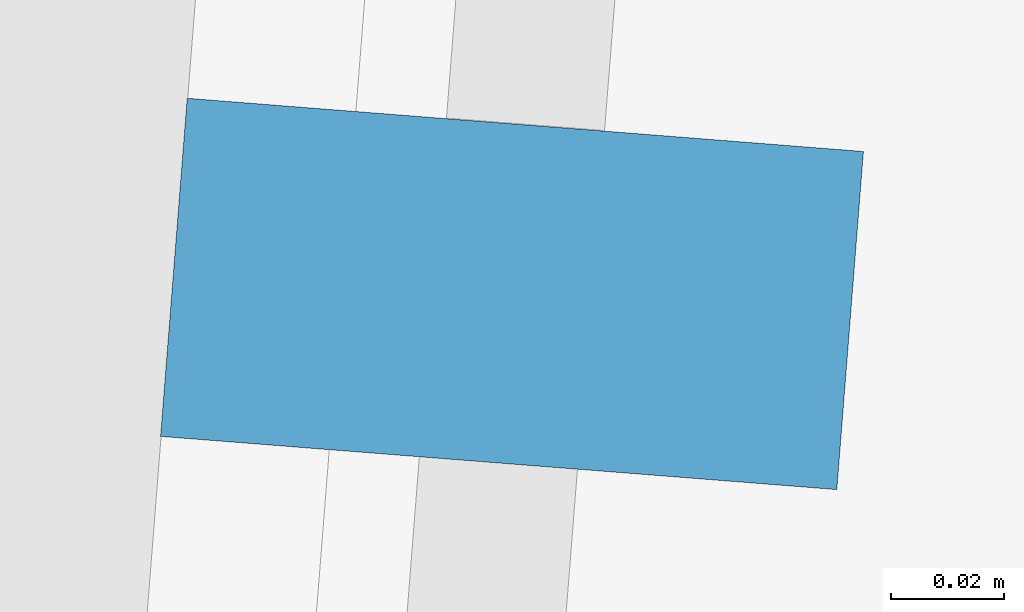
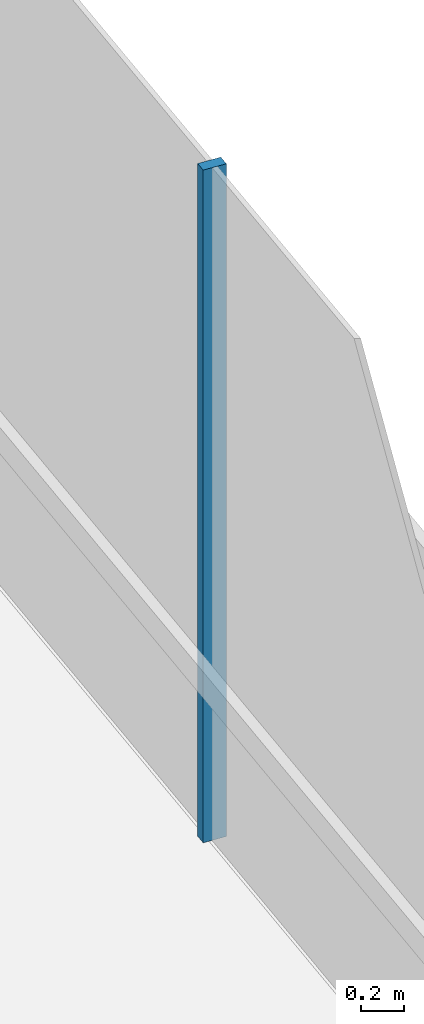
# One storey, part 15 of 24: 1 member, 1 element without a shape of its own.
"""IFC4 building model written with IfcOpenShell, lengths in metres."""

from ifc_helpers import new_model, si_unit, direction, frame, origin, origin_2d, place, context, subcontext, project, spatial, rectangle, extrude, material, layer, layer_set, material_profile, profile_set, type_object, element, aggregate, save


model = new_model("IFC4")

# Units and contexts
model_context = context("Model", 3, precision=1e-05, world=origin(), true_north=direction((0.0, 1.0)))
body_context = subcontext(model_context, "Body", "Model", "MODEL_VIEW")
ifc_project = project(units=[si_unit("LENGTHUNIT", "METRE"), si_unit("AREAUNIT", "SQUARE_METRE"), si_unit("VOLUMEUNIT", "CUBIC_METRE"), si_unit("PLANEANGLEUNIT", "RADIAN"), si_unit("MASSUNIT", "GRAM", prefix="KILO")], contexts=[model_context])

# Site, building, storey
site_placement = place(None, origin())
site = spatial("IfcSite", under=ifc_project, at=site_placement, CompositionType="ELEMENT")
building_placement = place(site_placement, origin())
building = spatial("IfcBuilding", under=site, at=building_placement, Name="Welwitschia Terrace Campus", CompositionType="ELEMENT")
storey_placement = place(building_placement, frame((0.0, 0.0, 129.800048828125)))
storey = spatial("IfcBuildingStorey", under=building, at=storey_placement, Name="L29", CompositionType="ELEMENT", Elevation=129.800048828125)

# Curtain wall, member
ifc_material_1 = material(Name="Bronze anodised aluminium", Category="aluminium")
ifc_layer = layer(ifc_material_1, 0.1201171875)
ifc_layer_set = layer_set([ifc_layer], Name="Bronze anodised aluminium")
curtain_wall_type = type_object("IfcCurtainWallType", Name="Curtain wall CW2 tower 6000", PredefinedType="NOTDEFINED", material=ifc_layer_set)
curtain_wall_placement = place(storey_placement, origin())
curtain_wall = element("IfcCurtainWall", 1, at=curtain_wall_placement, inside=storey, type_object=curtain_wall_type, Name="CW L29.10.0", PredefinedType="NOTDEFINED")
ifc_material_2 = material(Name="Bronze anodised aluminium", Category="aluminium")
ifc_material_profile = material_profile(ifc_material_2, rectangle(XDim=0.1201171875, YDim=0.06005859375, at=origin_2d()))
ifc_profile_set = profile_set([ifc_material_profile], Name="Bronze anodised aluminium")
member_type = type_object("IfcMemberType", Name="Mullion 60x120", PredefinedType="MULLION", material=ifc_profile_set)
member_placement = place(storey_placement, frame((26.56005859375, 52.52880859375, 0.0), z_axis=(0.0, 0.0, 1.0), x_axis=(-0.996917333733, 0.078459095728, 0.0)))
member = element("IfcMember", 2, at=member_placement, type_object=member_type, Name="Mullion L29.10.0.3", PredefinedType="MULLION", context=body_context, shape_type="SweptSolid", body=[
    extrude(rectangle(XDim=0.1201171875, YDim=0.06005859375, at=origin_2d()), origin(), (0.0, 0.0, 1.0), 3.849853515625),
])
aggregate(curtain_wall, [member])

save(model, "model.ifc")
